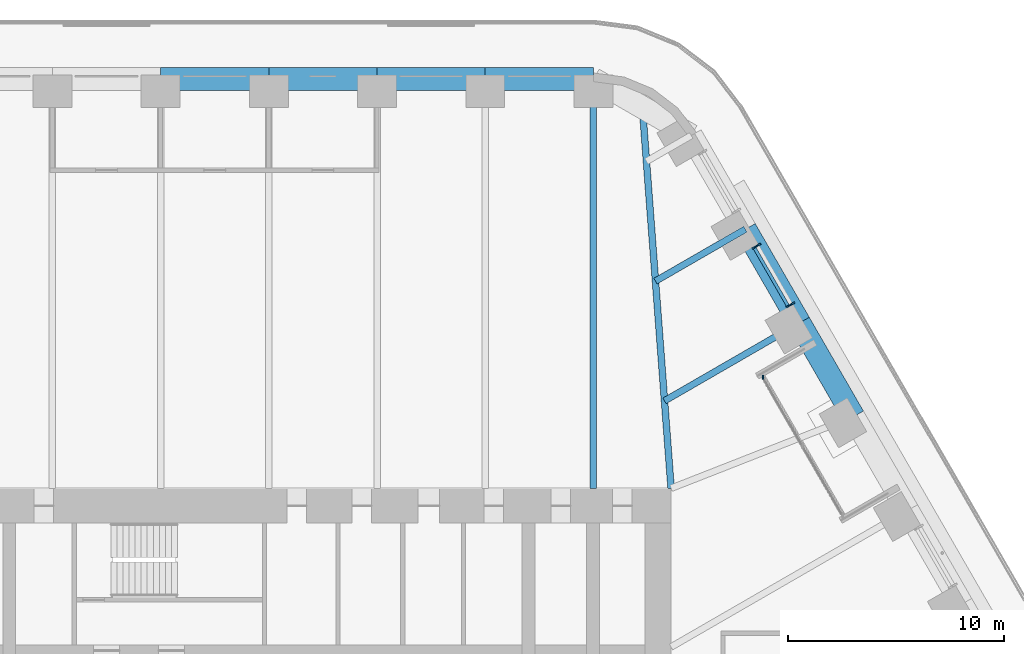
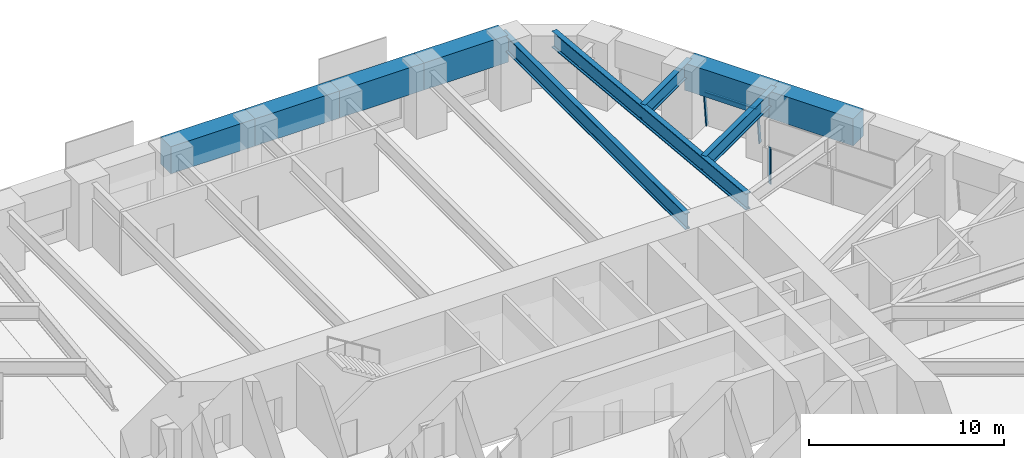
# One storey, part 12 of 24: 10 beams, 4 members, 2 elements without a shape of their own.
"""IFC4 building model written with IfcOpenShell, lengths in metres."""

from ifc_helpers import new_model, si_unit, direction, frame, origin, origin_2d, place, context, subcontext, project, spatial, rectangle, i_section, extrude, material, material_profile, profile_set, type_object, element, aggregate, save


model = new_model("IFC4")

# Units and contexts
model_context = context("Model", 3, precision=1e-05, world=origin(), true_north=direction((0.0, 1.0)))
body_context = subcontext(model_context, "Body", "Model", "MODEL_VIEW")
ifc_project = project(units=[si_unit("LENGTHUNIT", "METRE"), si_unit("AREAUNIT", "SQUARE_METRE"), si_unit("VOLUMEUNIT", "CUBIC_METRE"), si_unit("PLANEANGLEUNIT", "RADIAN"), si_unit("MASSUNIT", "GRAM", prefix="KILO")], contexts=[model_context])

# Site, building, storey
site_placement = place(None, origin())
site = spatial("IfcSite", under=ifc_project, at=site_placement, CompositionType="ELEMENT")
building_placement = place(site_placement, origin())
building = spatial("IfcBuilding", under=site, at=building_placement, Name="Tarfa Lantern Tower", CompositionType="ELEMENT")
storey_placement = place(building_placement, frame((0.0, 0.0, 132.10009765625)))
storey = spatial("IfcBuildingStorey", under=building, at=storey_placement, Name="L29", CompositionType="ELEMENT", Elevation=132.10009765625)

# Curtain wall, members
ifc_material_1 = material(Name="Aluminium framed curtain wall", Category="aluminium")
curtain_wall_type_1 = type_object("IfcCurtainWallType", Name="CW2 CANTED GLAZING MID ZONE 2300", PredefinedType="USERDEFINED", material=ifc_material_1)
curtain_wall_1_placement = place(storey_placement, origin())
curtain_wall_1 = element("IfcCurtainWall", 1, at=curtain_wall_1_placement, inside=storey, type_object=curtain_wall_type_1, Name="CW2 NEB L29", ObjectType="CURTAIN WALL", PredefinedType="USERDEFINED")
ifc_material_2 = material(Name="Aluminium mullion", Category="aluminium")
ifc_material_profile_1 = material_profile(ifc_material_2, rectangle(XDim=0.06494140625, YDim=0.199951171875, at=origin_2d()), Name="AL MULLION 65x200")
ifc_profile_set_1 = profile_set([ifc_material_profile_1], Name="Aluminium mullion")
member_type_1 = type_object("IfcMemberType", Name="CWM1 MULLION 65x200", PredefinedType="MULLION", material=ifc_profile_set_1)
member_1_placement = place(storey_placement, frame((24.22509765625, 20.8408203125, 0.0), z_axis=(-0.093609724986, -0.054034023893, 0.994141611467), x_axis=(0.499919672301, -0.866071776036, 0.0)))
member_1 = element("IfcMember", 2, at=member_1_placement, type_object=member_type_1, Name="CW2 mullion 1", PredefinedType="MULLION", context=body_context, shape_type="SweptSolid", body=[
    extrude(rectangle(XDim=0.06494140625, YDim=0.199951171875, at=origin_2d()), origin(), (0.0, 0.0, 1.0), 2.3134765625),
])
member_2_placement = place(storey_placement, frame((22.65576171875, 23.55908203125, 0.0), z_axis=(-0.093609724986, -0.054034023893, 0.994141611467), x_axis=(0.499919672301, -0.866071776036, 0.0)))
member_2 = element("IfcMember", 3, at=member_2_placement, type_object=member_type_1, Name="CW2 mullion 2", PredefinedType="MULLION", context=body_context, shape_type="SweptSolid", body=[
    extrude(rectangle(XDim=0.06494140625, YDim=0.199951171875, at=origin_2d()), origin(), (0.0, 0.0, 1.0), 2.3134765625),
])

# Curtain wall, member
curtain_wall_type_2 = type_object("IfcCurtainWallType", Name="CW10 LOGGIA GLAZING 2300", PredefinedType="USERDEFINED", material=ifc_material_1)
curtain_wall_2_placement = place(storey_placement, origin())
curtain_wall_2 = element("IfcCurtainWall", 4, at=curtain_wall_2_placement, inside=storey, type_object=curtain_wall_type_2, Name="CW10 NEL L29", ObjectType="CURTAIN WALL", PredefinedType="USERDEFINED")
member_3_placement = place(storey_placement, frame((22.84619140625, 17.429443359375, 0.0), z_axis=(0.0, 0.0, 1.0), x_axis=(1.0, 0.0, 0.0)))
member_3 = element("IfcMember", 5, at=member_3_placement, type_object=member_type_1, Name="CW10 mullion 3", PredefinedType="MULLION", context=body_context, shape_type="SweptSolid", body=[
    extrude(rectangle(XDim=0.06494140625, YDim=0.199951171875, at=origin_2d()), origin(), (0.0, 0.0, 1.0), 2.2998046875),
])
aggregate(curtain_wall_2, [member_3])

# Member
ifc_material_3 = material(Name="Aluminium transom", Category="aluminium")
ifc_material_profile_2 = material_profile(ifc_material_3, rectangle(XDim=0.14990234375, YDim=0.06494140625, at=origin_2d()), Name="AL TRANSOM 150x65")
ifc_profile_set_2 = profile_set([ifc_material_profile_2], Name="Aluminium transom")
member_type_2 = type_object("IfcMemberType", Name="CWT1 TRANSOM 150x65", PredefinedType="USERDEFINED", material=ifc_profile_set_2)
member_4_placement = place(storey_placement, frame((23.995361328125, 20.745849609375, 2.267333984375), z_axis=(-0.500008936691, 0.866020244122, 0.0), x_axis=(-0.866020244122, -0.500008936691, 0.0)))
member_4 = element("IfcMember", 6, at=member_4_placement, type_object=member_type_2, Name="CW2 transom 1.2", ObjectType="TRANSOM", PredefinedType="USERDEFINED", context=body_context, shape_type="SweptSolid", body=[
    extrude(rectangle(XDim=0.14990234375, YDim=0.06494140625, at=origin_2d()), origin(), (0.0, 0.0, 1.0), 3.07373046875),
])

aggregate(curtain_wall_1, [member_1, member_2, member_4])

# Beams
ifc_material_4 = material(Name="Concrete C80/95", Category="concrete")
ifc_material_profile_3 = material_profile(ifc_material_4, rectangle(XDim=1.050048828125, YDim=1.699951171875, at=origin_2d()), Name="RC 1050x1700")
ifc_profile_set_3 = profile_set([ifc_material_profile_3], Name="Concrete C80/95")
beam_type_1 = type_object("IfcBeamType", Name="RB2 RC 1050x1700", PredefinedType="BEAM", material=ifc_profile_set_3)
for number, where, z_axis, x_axis, name in (
    (7, (27.037353515625, 15.610107421875, 3.14990234375), (-0.500022324899, 0.866012514114, 0.0), (-0.866012514114, -0.500022324899, 0.0), "Edge beam NE3"),
    (8, (24.535400390625, 19.943359375, 3.14990234375), (-0.49998573051, 0.866033642122, 0.0), (-0.866033642122, -0.49998573051, 0.0), "Edge beam NE4"),
    (9, (15.010986328125, 31.219970703125, 3.14990234375), (-1.0, 0.0, 0.0), (0.0, -1.0, 0.0), "Edge beam N0"),
    (10, (10.00732421875, 31.219970703125, 3.14990234375), (-1.0, 0.0, 0.0), (0.0, -1.0, 0.0), "Edge beam N1"),
    (11, (5.003662109375, 31.219970703125, 3.14990234375), (-1.0, 0.0, 0.0), (0.0, -1.0, 0.0), "Edge beam N2"),
    (12, (0.0, 31.219970703125, 3.14990234375), (-1.0, 0.0, 0.0), (0.0, -1.0, 0.0), "Edge beam N3"),
):
    element("IfcBeam", number, at=place(storey_placement, frame(where, z_axis=z_axis, x_axis=x_axis)), inside=storey, type_object=beam_type_1, Name=name, PredefinedType="BEAM", context=body_context, shape_type="SweptSolid", body=[
        extrude(rectangle(XDim=1.050048828125, YDim=1.699951171875, at=origin_2d()), origin(), (0.0, 0.0, 1.0), 5.003662109375),
    ])
ifc_material_5 = material(Name="Steel S460M", Category="steel")
ifc_material_profile_4 = material_profile(ifc_material_5, i_section(OverallWidth=0.302001953125, OverallDepth=1.008056640625, WebThickness=0.02099609375, FlangeThickness=0.0400390625, FilletRadius=0.030029296875, at=origin_2d()), Name="UB1016x305x349")
ifc_profile_set_4 = profile_set([ifc_material_profile_4], Name="Steel S460M")
beam_type_2 = type_object("IfcBeamType", Name="UB1016x305x349", PredefinedType="BEAM", material=ifc_profile_set_4)
beam_1_placement = place(storey_placement, frame((15.010986328125, 31.219970703125, 3.495849609375), z_axis=(0.0, -1.0, 0.0), x_axis=(1.0, 0.0, 0.0)))
element("IfcBeam", 13, at=beam_1_placement, inside=storey, type_object=beam_type_2, Name="Floor beam N0", PredefinedType="BEAM", context=body_context, shape_type="SweptSolid", body=[
    extrude(i_section(OverallWidth=0.302001953125, OverallDepth=1.008056640625, WebThickness=0.02099609375, FlangeThickness=0.0400390625, FilletRadius=0.030029296875, at=origin_2d()), origin(), (0.0, 0.0, 1.0), 18.919921875),
])
ifc_material_profile_5 = material_profile(ifc_material_5, i_section(OverallWidth=0.30859375, OverallDepth=1.036376953125, WebThickness=0.030029296875, FlangeThickness=0.05419921875, FilletRadius=0.030029296875, at=origin_2d()), Name="UB1016x305x487")
ifc_profile_set_5 = profile_set([ifc_material_profile_5], Name="Steel S460M")
beam_type_3 = type_object("IfcBeamType", Name="UB1016x305x487", PredefinedType="BEAM", material=ifc_profile_set_5)
beam_2_placement = place(storey_placement, frame((18.60009765625, 12.300048828125, 3.481689453125), z_axis=(-0.075211516041, 0.99716760269, 0.0), x_axis=(-0.99716760269, -0.075211516041, 0.0)))
element("IfcBeam", 14, at=beam_2_placement, inside=storey, type_object=beam_type_3, Name="Hip girder NE", PredefinedType="BEAM", context=body_context, shape_type="SweptSolid", body=[
    extrude(i_section(OverallWidth=0.30859375, OverallDepth=1.036376953125, WebThickness=0.030029296875, FlangeThickness=0.05419921875, FilletRadius=0.030029296875, at=origin_2d()), origin(), (0.0, 0.0, 1.0), 17.6650390625),
])
ifc_material_profile_6 = material_profile(ifc_material_5, i_section(OverallWidth=0.305419921875, OverallDepth=0.91845703125, WebThickness=0.017333984375, FlangeThickness=0.02783203125, FilletRadius=0.01904296875, at=origin_2d()), Name="UB914x305x253")
ifc_profile_set_6 = profile_set([ifc_material_profile_6], Name="Steel S460M")
beam_type_4 = type_object("IfcBeamType", Name="UB914x305x253", PredefinedType="BEAM", material=ifc_profile_set_6)
beam_3_placement = place(storey_placement, frame((24.535400390625, 19.943359375, 3.540771484375), z_axis=(-0.86602647304, -0.499998147991, 0.0), x_axis=(0.499998147991, -0.86602647304, 0.0)))
element("IfcBeam", 15, at=beam_3_placement, inside=storey, type_object=beam_type_4, Name="Floor beam NE4", PredefinedType="BEAM", context=body_context, shape_type="SweptSolid", body=[
    extrude(i_section(OverallWidth=0.305419921875, OverallDepth=0.91845703125, WebThickness=0.017333984375, FlangeThickness=0.02783203125, FilletRadius=0.01904296875, at=origin_2d()), origin(), (0.0, 0.0, 1.0), 7.20556640625),
])
beam_4_placement = place(storey_placement, frame((22.03369140625, 24.276611328125, 3.540771484375), z_axis=(-0.866030550462, -0.499991085587, 0.0), x_axis=(0.499991085587, -0.866030550462, 0.0)))
element("IfcBeam", 16, at=beam_4_placement, inside=storey, type_object=beam_type_4, Name="Floor beam NE5", PredefinedType="BEAM", context=body_context, shape_type="SweptSolid", body=[
    extrude(i_section(OverallWidth=0.305419921875, OverallDepth=0.91845703125, WebThickness=0.017333984375, FlangeThickness=0.02783203125, FilletRadius=0.01904296875, at=origin_2d()), origin(), (0.0, 0.0, 1.0), 4.798828125),
])

save(model, "model.ifc")
